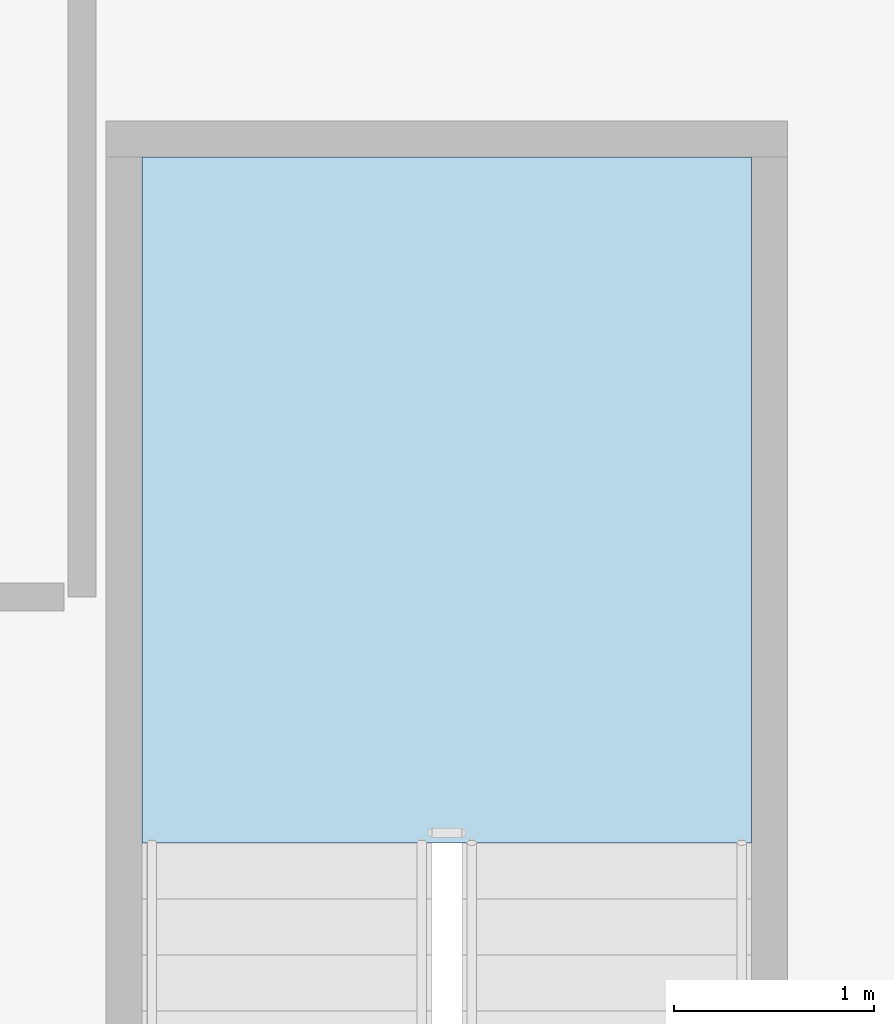
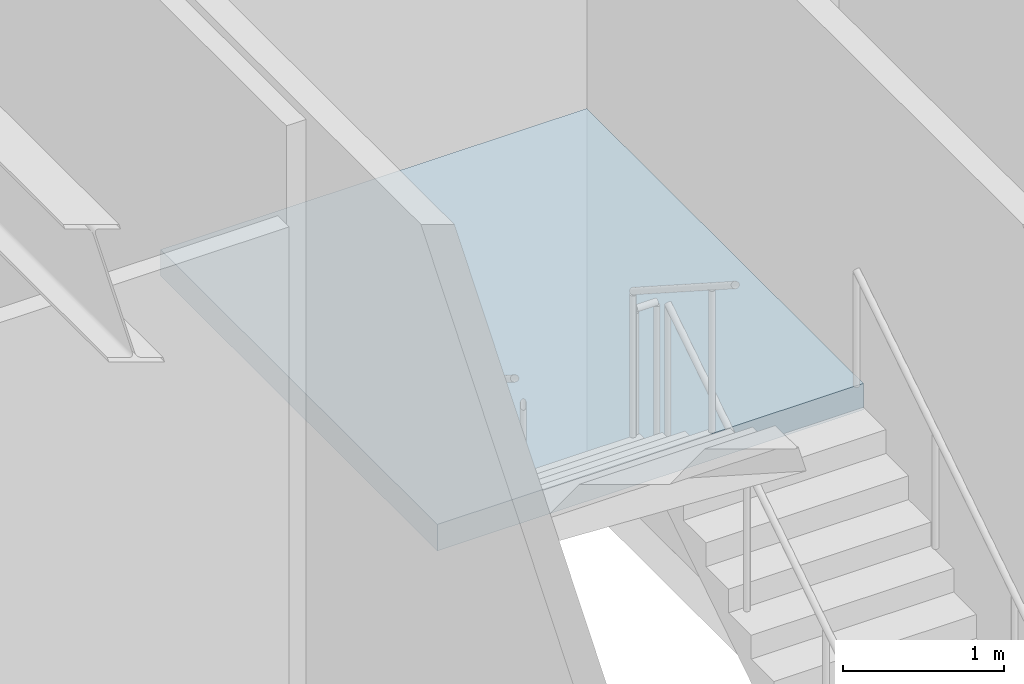
# One storey, part 38 of 52: 1 slab, 1 element without a shape of its own.
"""IFC4 building model written with IfcOpenShell, lengths in metres."""

from ifc_helpers import new_model, si_unit, direction, frame, origin, place, context, subcontext, project, spatial, polyline, outline, extrude, material, layer, layer_set, type_object, element, aggregate, save


model = new_model("IFC4")

# Units and contexts
model_context = context("Model", 3, precision=1e-05, world=origin(), true_north=direction((0.0, 1.0)))
body_context = subcontext(model_context, "Body", "Model", "MODEL_VIEW")
ifc_project = project(units=[si_unit("LENGTHUNIT", "METRE"), si_unit("AREAUNIT", "SQUARE_METRE"), si_unit("VOLUMEUNIT", "CUBIC_METRE"), si_unit("PLANEANGLEUNIT", "RADIAN"), si_unit("MASSUNIT", "GRAM", prefix="KILO")], contexts=[model_context])

# Site, building, storey
site_placement = place(None, origin())
site = spatial("IfcSite", under=ifc_project, at=site_placement, CompositionType="ELEMENT")
building_placement = place(site_placement, origin())
building = spatial("IfcBuilding", under=site, at=building_placement, Name="Saevonmaru Cultural Tower", CompositionType="ELEMENT")
storey_placement = place(building_placement, frame((0.0, 0.0, 16.800048828125)))
storey = spatial("IfcBuildingStorey", under=building, at=storey_placement, Name="L03", CompositionType="ELEMENT", Elevation=16.800048828125)

# Stair, slab
ifc_material = material(Name="Concrete C40/50", Category="concrete")
stair_type = type_object("IfcStairType", Name="STR-DOGLEG-RC", PredefinedType="HALF_TURN_STAIR", material=ifc_material)
stair_placement = place(storey_placement, origin())
stair = element("IfcStair", 1, at=stair_placement, inside=storey, type_object=stair_type, Name="L03 Protected exit stair LST-2", PredefinedType="HALF_TURN_STAIR")
ifc_layer = layer(ifc_material, 0.199951171875, Name="Concrete C40/50")
ifc_layer_set = layer_set([ifc_layer], Name="Concrete C40/50")
slab_type = type_object("IfcSlabType", Name="SL-STAIR-LANDING", PredefinedType="LANDING", material=ifc_layer_set)
slab_placement = place(storey_placement, frame((0.0, 0.0, 2.5)))
slab = element("IfcSlab", 2, at=slab_placement, type_object=slab_type, Name="LST-2-L03 landing 1", PredefinedType="LANDING", context=body_context, shape_type="SweptSolid", body=[
    extrude(outline(polyline([(104.199951171875, 41.969970703125), (104.199951171875, 45.39990234375), (101.14990234375, 45.39990234375), (101.14990234375, 41.969970703125), (104.199951171875, 41.969970703125)])), origin(), (0.0, 0.0, 1.0), 0.199951171875),
])
aggregate(stair, [slab])

save(model, "model.ifc")
